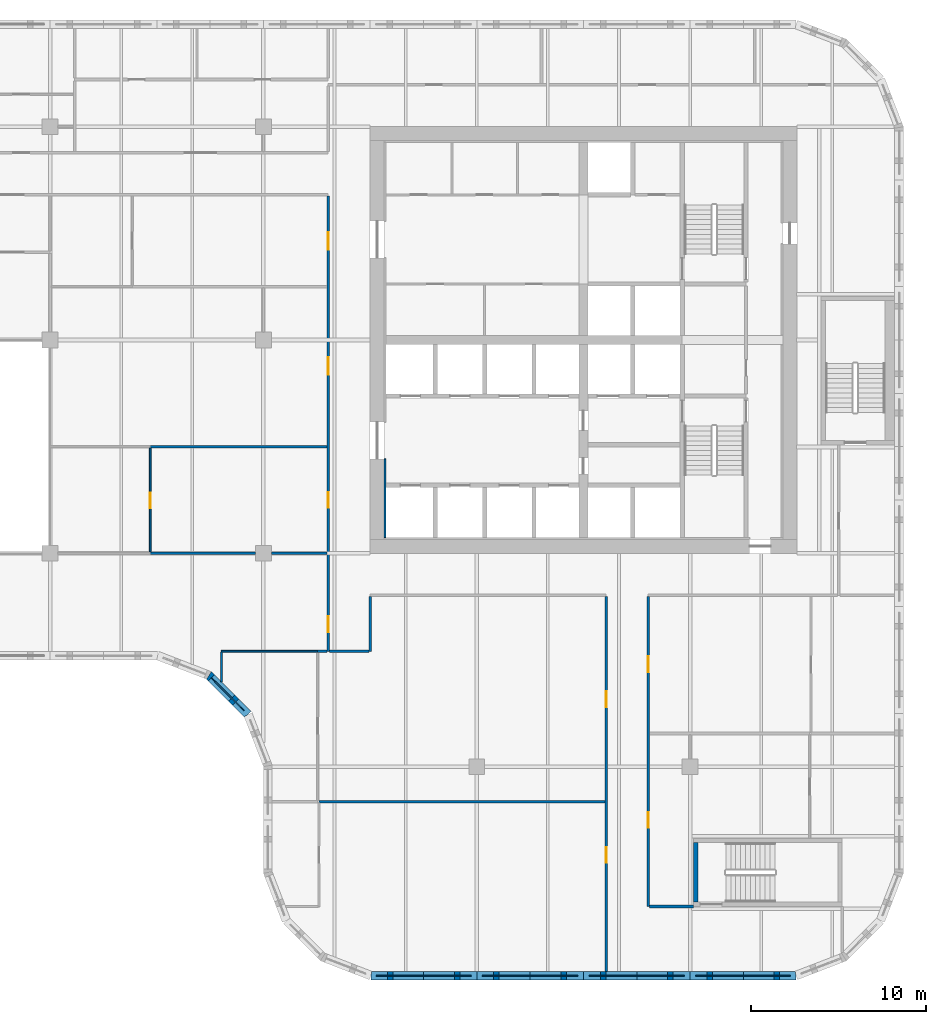
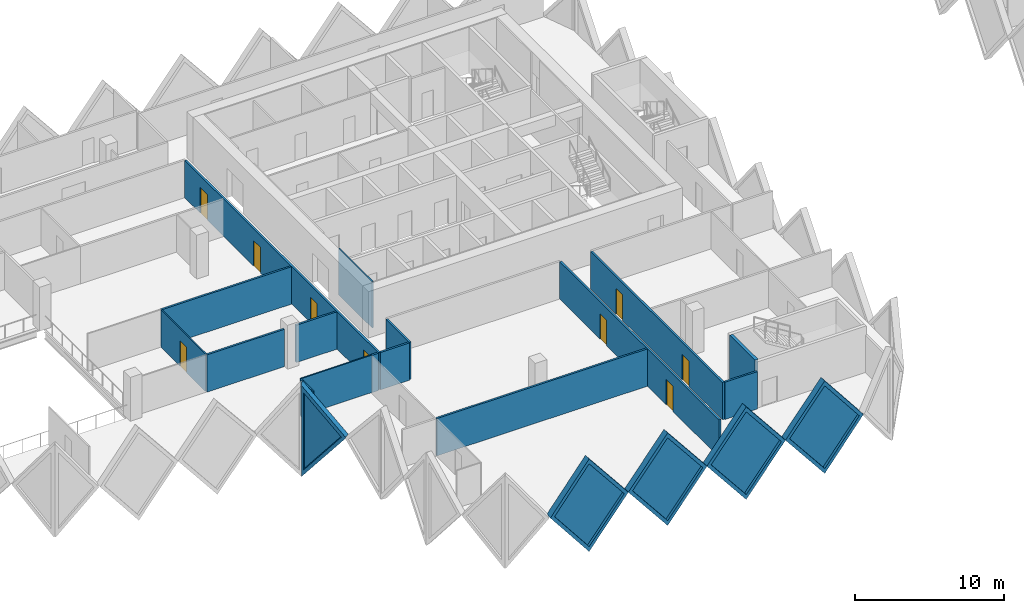
# One storey, part 5 of 19: 21 walls, 9 doors, 5 plates, 14 openings.
"""IFC4 building model written with IfcOpenShell, lengths in metres."""

from ifc_helpers import new_model, si_unit, direction, frame, frame_2d, origin, place, context, subcontext, project, spatial, polyline, rectangle, outline, extrude, faceted_brep, source, transform, mapped, material, layer, layer_set, type_object, element, fill, save


model = new_model("IFC4")

# Units and contexts
model_context = context("Model", 3, precision=1e-05, world=origin(), true_north=direction((0.0, 1.0)))
body_context = subcontext(model_context, "Body", "Model", "MODEL_VIEW")
ifc_project = project(units=[si_unit("LENGTHUNIT", "METRE"), si_unit("AREAUNIT", "SQUARE_METRE"), si_unit("VOLUMEUNIT", "CUBIC_METRE"), si_unit("PLANEANGLEUNIT", "RADIAN"), si_unit("MASSUNIT", "GRAM", prefix="KILO")], contexts=[model_context])

# Site, building, storey
site_placement = place(None, origin())
site = spatial("IfcSite", under=ifc_project, at=site_placement, CompositionType="ELEMENT")
building_placement = place(site_placement, origin())
building = spatial("IfcBuilding", under=site, at=building_placement, Name="Tessera Gate Towers", CompositionType="ELEMENT")
storey_placement = place(building_placement, frame((0.0, 0.0, 80.0)))
storey = spatial("IfcBuildingStorey", under=building, at=storey_placement, Name="L19", CompositionType="ELEMENT", Elevation=80.0)

# Walls
ifc_material_1 = material(Name="Concrete C40/50", Category="concrete")
ifc_layer_1 = layer(ifc_material_1, 0.25)
ifc_layer_set_1 = layer_set([ifc_layer_1], Name="CORE ENCLOSURE WALL 250")
wall_type_1 = type_object("IfcWallType", Name="CORE ENCLOSURE WALL 250", PredefinedType="SOLIDWALL", material=ifc_layer_set_1)
wall_1_placement = place(storey_placement, frame((49.125, 4.449951171875, 0.0), z_axis=(0.0, 0.0, 1.0), x_axis=(0.0, 1.0, 0.0)))
element("IfcWall", 1, at=wall_1_placement, inside=storey, type_object=wall_type_1, Name="L19 ST4 enclosure wall", PredefinedType="SOLIDWALL", context=body_context, shape_type="SweptSolid", body=[
    extrude(rectangle(XDim=3.400146484375, YDim=0.25, at=frame_2d((1.7001953125, 0.0))), origin(), (0.0, 0.0, 1.0), 3.800048828125),
])
ifc_material_2 = material(Name="Concrete C60/75", Category="concrete")
ifc_layer_2 = layer(ifc_material_2, 0.10009765625)
ifc_layer_set_2 = layer_set([ifc_layer_2], Name="CORE WALL THICKENING 100")
wall_type_2 = type_object("IfcWallType", Name="CORE WALL THICKENING 100", PredefinedType="SOLIDWALL", material=ifc_layer_set_2)
wall_2_placement = place(storey_placement, frame((31.35009765625, 25.300048828125, 0.0), z_axis=(0.0, 0.0, 1.0), x_axis=(0.0, 1.0, 0.0)))
element("IfcWall", 2, at=wall_2_placement, inside=storey, type_object=wall_type_2, Name="Core wall thickening W L19", PredefinedType="SOLIDWALL", context=body_context, shape_type="SweptSolid", body=[
    extrude(rectangle(XDim=4.5, YDim=0.10009765625, at=frame_2d((2.25, 0.0))), origin(), (0.0, 0.0, 1.0), 3.800048828125),
])

# Wall, openings, doors
ifc_material_3 = material(Name="Gypsum board on steel studs, mineral wool", Category="steel")
ifc_layer_3 = layer(ifc_material_3, 0.14990234375)
ifc_layer_set_3 = layer_set([ifc_layer_3], Name="CORRIDOR WALL 150")
wall_type_3 = type_object("IfcWallType", Name="CORRIDOR WALL 150", PredefinedType="PARTITIONING", material=ifc_layer_set_3)
wall_3_placement = place(storey_placement, frame((44.0, 0.5, 0.0), z_axis=(0.0, 0.0, 1.0), x_axis=(0.0, 1.0, 0.0)))
wall_3 = element("IfcWall", 3, at=wall_3_placement, inside=storey, type_object=wall_type_3, Name="T1-L19-PW-001", PredefinedType="PARTITIONING", context=body_context, shape_type="SweptSolid", body=[
    extrude(rectangle(XDim=21.424072265625, YDim=0.14990234375, at=frame_2d((10.7119140625, 0.0))), origin(), (0.0, 0.0, 1.0), 3.06689453125),
])
shared_shape_1 = source(origin(), body_context, "Body", "SweptSolid", [
    extrude(rectangle(XDim=0.89990234375, YDim=2.10009765625, at=frame_2d((0.449951171875, 1.050048828125))), frame((0.0, 0.0849609375, 0.0), z_axis=(0.0, -1.0, 0.0), x_axis=(1.0, 0.0, 0.0)), (0.0, 0.0, 1.0), 0.169921875),
])
opening_1_placement = place(wall_3_placement, frame((6.199951171875, 0.0, 0.0)))
opening_1 = element("IfcOpeningElement", 4, at=opening_1_placement, cuts=wall_3, Name="Opening D890FD60-A07-02", PredefinedType="OPENING", context=body_context, shape_type="MappedRepresentation", body=[
    mapped(shared_shape_1, transform((0.0, 0.0, 0.0), scale=1.0)),
])
opening_2_placement = place(wall_3_placement, frame((15.10009765625, 0.0, 0.0)))
opening_2 = element("IfcOpeningElement", 5, at=opening_2_placement, cuts=wall_3, Name="Opening D890FD60-A07-09", PredefinedType="OPENING", context=body_context, shape_type="MappedRepresentation", body=[
    mapped(shared_shape_1, transform((0.0, 0.0, 0.0), scale=1.0)),
])
ifc_material_4 = material(Name="Timber door leaf in steel frame", Category="steel")
door_type_1 = type_object("IfcDoorType", Name="CORRIDOR DOOR 900 FD60", OperationType="NOTDEFINED", PredefinedType="DOOR", material=ifc_material_4)
shared_shape_2 = source(origin(), body_context, "Body", "SweptSolid", [
    extrude(rectangle(XDim=0.89990234375, YDim=2.10009765625, at=frame_2d((0.449951171875, 1.050048828125))), frame((0.0, 0.02490234375, 0.0), z_axis=(0.0, -1.0, 0.0), x_axis=(1.0, 0.0, 0.0)), (0.0, 0.0, 1.0), 0.050048828125),
])
door_1_placement = place(opening_1_placement, origin())
door_1 = element("IfcDoor", 6, at=door_1_placement, inside=storey, type_object=door_type_1, Name="T1-L19-PD-009", OperationType="SINGLE_SWING_LEFT", OverallHeight=2.10009765625, OverallWidth=0.89990234375, PredefinedType="DOOR", context=body_context, shape_type="MappedRepresentation", body=[
    mapped(shared_shape_2, transform((0.0, 0.0, 0.0), scale=1.0)),
])
fill(opening_1, door_1)
door_2_placement = place(opening_2_placement, origin())
door_2 = element("IfcDoor", 7, at=door_2_placement, inside=storey, type_object=door_type_1, Name="T1-L19-PD-023", OperationType="SINGLE_SWING_LEFT", OverallHeight=2.10009765625, OverallWidth=0.89990234375, PredefinedType="DOOR", context=body_context, shape_type="MappedRepresentation", body=[
    mapped(shared_shape_2, transform((0.0, 0.0, 0.0), scale=1.0)),
])
fill(opening_2, door_2)

wall_4_placement = place(storey_placement, frame((46.39990234375, 21.924072265625, 0.0), z_axis=(0.0, 0.0, 1.0), x_axis=(0.0, -1.0, 0.0)))
wall_4 = element("IfcWall", 8, at=wall_4_placement, inside=storey, type_object=wall_type_3, Name="T1-L19-PW-005", PredefinedType="PARTITIONING", context=body_context, shape_type="SweptSolid", body=[
    extrude(rectangle(XDim=17.72412109375, YDim=0.14990234375, at=frame_2d((8.862060546875, 0.0))), origin(), (0.0, 0.0, 1.0), 3.06689453125),
])
opening_3_placement = place(wall_4_placement, frame((3.423095703125, 0.0, 0.0)))
opening_3 = element("IfcOpeningElement", 9, at=opening_3_placement, cuts=wall_4, Name="Opening D890FD60-A07-06", PredefinedType="OPENING", context=body_context, shape_type="MappedRepresentation", body=[
    mapped(shared_shape_1, transform((0.0, 0.0, 0.0), scale=1.0)),
])
opening_4_placement = place(wall_4_placement, frame((12.323974609375, 0.0, 0.0)))
opening_4 = element("IfcOpeningElement", 10, at=opening_4_placement, cuts=wall_4, Name="Opening D890FD60-A07-08", PredefinedType="OPENING", context=body_context, shape_type="MappedRepresentation", body=[
    mapped(shared_shape_1, transform((0.0, 0.0, 0.0), scale=1.0)),
])
door_3_placement = place(opening_3_placement, origin())
door_3 = element("IfcDoor", 11, at=door_3_placement, inside=storey, type_object=door_type_1, Name="T1-L19-PD-018", OperationType="SINGLE_SWING_RIGHT", OverallHeight=2.10009765625, OverallWidth=0.89990234375, PredefinedType="DOOR", context=body_context, shape_type="MappedRepresentation", body=[
    mapped(shared_shape_2, transform((0.0, 0.0, 0.0), scale=1.0)),
])
fill(opening_3, door_3)
door_4_placement = place(opening_4_placement, origin())
door_4 = element("IfcDoor", 12, at=door_4_placement, inside=storey, type_object=door_type_1, Name="T1-L19-PD-022", OperationType="SINGLE_SWING_RIGHT", OverallHeight=2.10009765625, OverallWidth=0.89990234375, PredefinedType="DOOR", context=body_context, shape_type="MappedRepresentation", body=[
    mapped(shared_shape_2, transform((0.0, 0.0, 0.0), scale=1.0)),
])
fill(opening_4, door_4)

# Wall
wall_5_placement = place(storey_placement, frame((46.47607421875, 4.199951171875, 0.0), z_axis=(0.0, 0.0, 1.0), x_axis=(1.0, 0.0, 0.0)))
element("IfcWall", 13, at=wall_5_placement, inside=storey, type_object=wall_type_3, Name="T1-L19-PW-006", PredefinedType="PARTITIONING", context=body_context, shape_type="SweptSolid", body=[
    extrude(rectangle(XDim=2.52392578125, YDim=0.14990234375, at=frame_2d((1.261962890625, 0.0))), origin(), (0.0, 0.0, 1.0), 3.06689453125),
])

# Wall, openings, doors
wall_6_placement = place(storey_placement, frame((28.10009765625, 18.800048828125, 0.0), z_axis=(0.0, 0.0, 1.0), x_axis=(0.0, 1.0, 0.0)))
wall_6 = element("IfcWall", 14, at=wall_6_placement, inside=storey, type_object=wall_type_3, Name="T1-L19-PW-018", PredefinedType="PARTITIONING", context=body_context, shape_type="SweptSolid", body=[
    extrude(rectangle(XDim=26.02392578125, YDim=0.14990234375, at=frame_2d((13.011962890625, 0.0))), origin(), (0.0, 0.0, 1.0), 3.06689453125),
])
opening_5_placement = place(wall_6_placement, frame((1.10009765625, 0.0, 0.0)))
opening_5 = element("IfcOpeningElement", 15, at=opening_5_placement, cuts=wall_6, Name="Opening D890FD60-A07-01", PredefinedType="OPENING", context=body_context, shape_type="MappedRepresentation", body=[
    mapped(shared_shape_1, transform((0.0, 0.0, 0.0), scale=1.0)),
])
shared_shape_3 = source(origin(), body_context, "Body", "SweptSolid", [
    extrude(rectangle(XDim=1.0, YDim=2.10009765625, at=frame_2d((0.5, 1.050048828125))), frame((0.0, 0.0849609375, 0.0), z_axis=(0.0, -1.0, 0.0), x_axis=(1.0, 0.0, 0.0)), (0.0, 0.0, 1.0), 0.169921875),
])
opening_6_placement = place(wall_6_placement, frame((22.950927734375, 0.0, 0.0)))
opening_6 = element("IfcOpeningElement", 16, at=opening_6_placement, cuts=wall_6, Name="Opening D2100FD60-A07-01", PredefinedType="OPENING", context=body_context, shape_type="MappedRepresentation", body=[
    mapped(shared_shape_3, transform((0.0, 0.0, 0.0), scale=1.0)),
])
opening_7_placement = place(wall_6_placement, frame((8.199951171875, 0.0, 0.0)))
opening_7 = element("IfcOpeningElement", 17, at=opening_7_placement, cuts=wall_6, Name="Opening D890FD60-A07-04", PredefinedType="OPENING", context=body_context, shape_type="MappedRepresentation", body=[
    mapped(shared_shape_1, transform((0.0, 0.0, 0.0), scale=1.0)),
])
opening_8_placement = place(wall_6_placement, frame((15.800048828125, 0.0, 0.0)))
opening_8 = element("IfcOpeningElement", 18, at=opening_8_placement, cuts=wall_6, Name="Opening D2100FD60-A07-02", PredefinedType="OPENING", context=body_context, shape_type="MappedRepresentation", body=[
    mapped(shared_shape_3, transform((0.0, 0.0, 0.0), scale=1.0)),
])
door_5_placement = place(opening_5_placement, origin())
door_5 = element("IfcDoor", 19, at=door_5_placement, inside=storey, type_object=door_type_1, Name="T1-L19-PD-001", OperationType="SINGLE_SWING_LEFT", OverallHeight=2.10009765625, OverallWidth=0.89990234375, PredefinedType="DOOR", context=body_context, shape_type="MappedRepresentation", body=[
    mapped(shared_shape_2, transform((0.0, 0.0, 0.0), scale=1.0)),
])
fill(opening_5, door_5)
door_6_placement = place(opening_7_placement, origin())
door_6 = element("IfcDoor", 20, at=door_6_placement, inside=storey, type_object=door_type_1, Name="T1-L19-PD-012", OperationType="SINGLE_SWING_LEFT", OverallHeight=2.10009765625, OverallWidth=0.89990234375, PredefinedType="DOOR", context=body_context, shape_type="MappedRepresentation", body=[
    mapped(shared_shape_2, transform((0.0, 0.0, 0.0), scale=1.0)),
])
fill(opening_7, door_6)
ifc_material_5 = material(Name="Timber door leaf in steel frame", Category="steel")
door_type_2 = type_object("IfcDoorType", Name="TENANCY ENTRANCE DOOR 1000 FD60", OperationType="NOTDEFINED", PredefinedType="DOOR", material=ifc_material_5)
shared_shape_4 = source(origin(), body_context, "Body", "SweptSolid", [
    extrude(rectangle(XDim=1.0, YDim=2.10009765625, at=frame_2d((0.5, 1.050048828125))), frame((0.0, 0.02490234375, 0.0), z_axis=(0.0, -1.0, 0.0), x_axis=(1.0, 0.0, 0.0)), (0.0, 0.0, 1.0), 0.050048828125),
])
door_7_placement = place(opening_6_placement, origin())
door_7 = element("IfcDoor", 21, at=door_7_placement, inside=storey, type_object=door_type_2, Name="T1-L19-PD-005", OperationType="SINGLE_SWING_LEFT", OverallHeight=2.10009765625, OverallWidth=1.0, PredefinedType="DOOR", context=body_context, shape_type="MappedRepresentation", body=[
    mapped(shared_shape_4, transform((0.0, 0.0, 0.0), scale=1.0)),
])
fill(opening_6, door_7)
door_8_placement = place(opening_8_placement, origin())
door_8 = element("IfcDoor", 22, at=door_8_placement, inside=storey, type_object=door_type_2, Name="T1-L19-PD-021", OperationType="SINGLE_SWING_LEFT", OverallHeight=2.10009765625, OverallWidth=1.0, PredefinedType="DOOR", context=body_context, shape_type="MappedRepresentation", body=[
    mapped(shared_shape_4, transform((0.0, 0.0, 0.0), scale=1.0)),
])
fill(opening_8, door_8)

# Walls
wall_7_placement = place(storey_placement, frame((28.176025390625, 18.800048828125, 0.0), z_axis=(0.0, 0.0, 1.0), x_axis=(1.0, 0.0, 0.0)))
element("IfcWall", 23, at=wall_7_placement, inside=storey, type_object=wall_type_3, Name="T1-L19-PW-019", PredefinedType="PARTITIONING", context=body_context, shape_type="SweptSolid", body=[
    extrude(rectangle(XDim=2.248046875, YDim=0.14990234375, at=frame_2d((1.1240234375, 0.0))), origin(), (0.0, 0.0, 1.0), 3.06689453125),
])
wall_8_placement = place(storey_placement, frame((30.5, 18.800048828125, 0.0), z_axis=(0.0, 0.0, 1.0), x_axis=(0.0, 1.0, 0.0)))
element("IfcWall", 24, at=wall_8_placement, inside=storey, type_object=wall_type_3, Name="T1-L19-PW-020", PredefinedType="PARTITIONING", context=body_context, shape_type="SweptSolid", body=[
    extrude(rectangle(XDim=3.1240234375, YDim=0.14990234375, at=frame_2d((1.56201171875, 0.0))), origin(), (0.0, 0.0, 1.0), 3.06689453125),
])
ifc_material_6 = material(Name="Glass", Category="glass")
ifc_layer_4 = layer(ifc_material_6, 0.10009765625)
ifc_layer_set_4 = layer_set([ifc_layer_4], Name="GLAZED PARTITION 100")
wall_type_4 = type_object("IfcWallType", Name="GLAZED PARTITION 100", PredefinedType="PARTITIONING", material=ifc_layer_set_4)
wall_9_placement = place(storey_placement, frame((22.0, 17.054931640625, 0.0), z_axis=(0.0, 0.0, 1.0), x_axis=(0.0, 1.0, 0.0)))
element("IfcWall", 25, at=wall_9_placement, inside=storey, type_object=wall_type_4, Name="T1-L19-PW-015", PredefinedType="PARTITIONING", context=body_context, shape_type="SweptSolid", body=[
    extrude(rectangle(XDim=1.694091796875, YDim=0.10009765625, at=frame_2d((0.84716796875, 0.0))), origin(), (0.0, 0.0, 1.0), 3.06689453125),
])
wall_10_placement = place(storey_placement, frame((22.0, 18.800048828125, 0.0), z_axis=(0.0, 0.0, 1.0), x_axis=(1.0, 0.0, 0.0)))
element("IfcWall", 26, at=wall_10_placement, inside=storey, type_object=wall_type_4, Name="T1-L19-PW-016", PredefinedType="PARTITIONING", context=body_context, shape_type="SweptSolid", body=[
    extrude(rectangle(XDim=5.4990234375, YDim=0.10009765625, at=frame_2d((2.74951171875, 0.0))), origin(), (0.0, 0.0, 1.0), 3.06689453125),
])

# Wall, opening, door
wall_11_placement = place(storey_placement, frame((17.925048828125, 24.47607421875, 0.0), z_axis=(0.0, 0.0, 1.0), x_axis=(0.0, 1.0, 0.0)))
wall_11 = element("IfcWall", 27, at=wall_11_placement, inside=storey, type_object=wall_type_4, Name="T1-L19-PW-029", PredefinedType="PARTITIONING", context=body_context, shape_type="SweptSolid", body=[
    extrude(rectangle(XDim=5.947998046875, YDim=0.10009765625, at=frame_2d((2.97412109375, 0.0))), origin(), (0.0, 0.0, 1.0), 3.06689453125),
])
shared_shape_5 = source(origin(), body_context, "Body", "SweptSolid", [
    extrude(rectangle(XDim=0.89990234375, YDim=2.10009765625, at=frame_2d((0.449951171875, 1.050048828125))), frame((0.0, 0.06005859375, 0.0), z_axis=(0.0, -1.0, 0.0), x_axis=(1.0, 0.0, 0.0)), (0.0, 0.0, 1.0), 0.1201171875),
])
opening_9_placement = place(wall_11_placement, frame((2.5, 0.0, 0.0)))
opening_9 = element("IfcOpeningElement", 28, at=opening_9_placement, cuts=wall_11, Name="Opening D690-A07-04", PredefinedType="OPENING", context=body_context, shape_type="MappedRepresentation", body=[
    mapped(shared_shape_5, transform((0.0, 0.0, 0.0), scale=1.0)),
])
ifc_material_7 = material(Name="Glass in aluminium frame", Category="aluminium")
door_type_3 = type_object("IfcDoorType", Name="GLAZED DOOR 900 NOT RATED", OperationType="NOTDEFINED", PredefinedType="DOOR", material=ifc_material_7)
door_9_placement = place(opening_9_placement, origin())
door_9 = element("IfcDoor", 29, at=door_9_placement, inside=storey, type_object=door_type_3, Name="T1-L19-PD-008", OperationType="SINGLE_SWING_LEFT", OverallHeight=2.10009765625, OverallWidth=0.89990234375, PredefinedType="DOOR", context=body_context, shape_type="MappedRepresentation", body=[
    mapped(shared_shape_2, transform((0.0, 0.0, 0.0), scale=1.0)),
])
fill(opening_9, door_9)

# Walls
ifc_material_8 = material(Name="Gypsum board on steel studs, mineral wool", Category="steel")
ifc_layer_5 = layer(ifc_material_8, 0.14990234375)
ifc_layer_set_5 = layer_set([ifc_layer_5], Name="TENANCY WALL 150")
wall_type_5 = type_object("IfcWallType", Name="TENANCY WALL 150", PredefinedType="PARTITIONING", material=ifc_layer_set_5)
wall_12_placement = place(storey_placement, frame((27.574951171875, 10.199951171875, 0.0), z_axis=(0.0, 0.0, 1.0), x_axis=(1.0, 0.0, 0.0)))
element("IfcWall", 30, at=wall_12_placement, inside=storey, type_object=wall_type_5, Name="T1-L19-PW-009", PredefinedType="PARTITIONING", context=body_context, shape_type="SweptSolid", body=[
    extrude(rectangle(XDim=16.34912109375, YDim=0.14990234375, at=frame_2d((8.174560546875, 0.0))), origin(), (0.0, 0.0, 1.0), 3.06689453125),
])
wall_13_placement = place(storey_placement, frame((27.5, 18.800048828125, 0.0), z_axis=(0.0, 0.0, 1.0), x_axis=(1.0, 0.0, 0.0)))
element("IfcWall", 31, at=wall_13_placement, inside=storey, type_object=wall_type_5, Name="T1-L19-PW-017", PredefinedType="PARTITIONING", context=body_context, shape_type="SweptSolid", body=[
    extrude(rectangle(XDim=0.52392578125, YDim=0.14990234375, at=frame_2d((0.261962890625, 0.0))), origin(), (0.0, 0.0, 1.0), 3.06689453125),
])
wall_14_placement = place(storey_placement, frame((17.925048828125, 24.39990234375, 0.0), z_axis=(0.0, 0.0, 1.0), x_axis=(1.0, 0.0, 0.0)))
element("IfcWall", 32, at=wall_14_placement, inside=storey, type_object=wall_type_5, Name="T1-L19-PW-027", PredefinedType="PARTITIONING", context=body_context, shape_type="SweptSolid", body=[
    extrude(rectangle(XDim=6.02392578125, YDim=0.14990234375, at=frame_2d((3.011962890625, 0.0))), origin(), (0.0, 0.0, 1.0), 3.06689453125),
])
wall_15_placement = place(storey_placement, frame((24.85107421875, 24.39990234375, 0.0), z_axis=(0.0, 0.0, 1.0), x_axis=(1.0, 0.0, 0.0)))
element("IfcWall", 33, at=wall_15_placement, inside=storey, type_object=wall_type_5, Name="T1-L19-PW-028", PredefinedType="PARTITIONING", context=body_context, shape_type="SweptSolid", body=[
    extrude(rectangle(XDim=3.1728515625, YDim=0.14990234375, at=frame_2d((1.58642578125, 0.0))), origin(), (0.0, 0.0, 1.0), 3.06689453125),
])
wall_16_placement = place(storey_placement, frame((17.925048828125, 30.5, 0.0), z_axis=(0.0, 0.0, 1.0), x_axis=(1.0, 0.0, 0.0)))
element("IfcWall", 34, at=wall_16_placement, inside=storey, type_object=wall_type_5, Name="T1-L19-PW-031", PredefinedType="PARTITIONING", context=body_context, shape_type="SweptSolid", body=[
    extrude(rectangle(XDim=10.098876953125, YDim=0.14990234375, at=frame_2d((5.04931640625, 0.0))), origin(), (0.0, 0.0, 1.0), 3.06689453125),
])

# Wall, opening, plate
ifc_material_9 = material(Name="Precast concrete C60/75 white", Category="concrete")
ifc_layer_6 = layer(ifc_material_9, 0.5)
ifc_layer_set_6 = layer_set([ifc_layer_6], Name="TS1 tessera")
wall_type_6 = type_object("IfcWallType", Name="TS1 tessera", PredefinedType="SOLIDWALL", material=ifc_layer_set_6)
shared_shape_6 = source(origin(), body_context, "Body", "Brep", [
    faceted_brep([(3.00341796875, -0.25, 0.0), (6.053466796875, -0.25, 3.800048828125), (3.00341796875, -0.25, 7.60009765625), (0.0, -0.25, 3.800048828125), (0.046630859375, 0.25, 3.85888671875), (3.00341796875, 0.25, 7.60009765625), (6.053466796875, 0.25, 3.800048828125), (3.00341796875, 0.25, 0.0), (0.046630859375, 0.25, 3.7412109375), (0.0, 0.0, 3.800048828125)], [[[0, 1, 2, 3]], [[4, 5, 6, 7, 8]], [[7, 6, 1, 0]], [[6, 5, 2, 1]], [[5, 4, 9, 3, 2]], [[8, 7, 0, 3, 9]], [[8, 9, 4]]]),
])
wall_17_placement = place(storey_placement, frame((30.546630859375, 0.25, -3.800048828125), z_axis=(0.0, 0.0, 1.0), x_axis=(1.0, 0.0, 0.0)))
wall_17 = element("IfcWall", 35, at=wall_17_placement, inside=storey, type_object=wall_type_6, Name="Precast tessera T1 TS1-0276", PredefinedType="SOLIDWALL", context=body_context, shape_type="MappedRepresentation", body=[
    mapped(shared_shape_6, transform((0.0, 0.0, 0.0), scale=1.0)),
])
shared_shape_7 = source(origin(), body_context, "Body", "SweptSolid", [
    extrude(outline(polyline([(3.0048828125, 0.4013671875), (5.73291015625, 3.800048828125), (3.0048828125, 7.19873046875), (0.318603515625, 3.800048828125), (3.0048828125, 0.4013671875)])), frame((0.0, 0.260009765625, 0.0), z_axis=(0.0, -1.0, 0.0), x_axis=(1.0, 0.0, 0.0)), (0.0, 0.0, 1.0), 0.52001953125),
])
opening_10_placement = place(wall_17_placement, origin())
opening_10 = element("IfcOpeningElement", 36, at=opening_10_placement, cuts=wall_17, Name="Opening T1-PL2-0564", PredefinedType="OPENING", context=body_context, shape_type="MappedRepresentation", body=[
    mapped(shared_shape_7, transform((0.0, 0.0, 0.0), scale=1.0)),
])
ifc_material_10 = material(Name="Low-e laminated glass", Category="glass")
ifc_layer_7 = layer(ifc_material_10, 0.06005859375)
ifc_layer_set_7 = layer_set([ifc_layer_7], Name="PL2 rhombic pane")
plate_type = type_object("IfcPlateType", Name="PL2 rhombic pane", PredefinedType="SHEET", material=ifc_layer_set_7)
shared_shape_8 = source(origin(), body_context, "Body", "SweptSolid", [
    extrude(outline(polyline([(3.0048828125, 0.4013671875), (5.73291015625, 3.800048828125), (3.0048828125, 7.19873046875), (0.318603515625, 3.800048828125), (3.0048828125, 0.4013671875)])), frame((0.0, 0.030029296875, 0.0), z_axis=(0.0, -1.0, 0.0), x_axis=(1.0, 0.0, 0.0)), (0.0, 0.0, 1.0), 0.06005859375),
])
plate_1_placement = place(opening_10_placement, origin())
plate_1 = element("IfcPlate", 37, at=plate_1_placement, inside=storey, type_object=plate_type, Name="Glass pane T1 PL2-0564", PredefinedType="SHEET", context=body_context, shape_type="MappedRepresentation", body=[
    mapped(shared_shape_8, transform((0.0, 0.0, 0.0), scale=1.0)),
])
fill(opening_10, plate_1)

shared_shape_9 = source(origin(), body_context, "Body", "Brep", [
    faceted_brep([(3.050048828125, -0.25, 0.0), (6.099853515625, -0.25, 3.7998046875), (6.099853515625, -0.25, 3.80029296875), (3.050048828125, -0.25, 7.60009765625), (0.0, -0.25, 3.800048828125), (0.0, 0.25, 3.800048828125), (3.050048828125, 0.25, 7.60009765625), (6.099853515625, 0.25, 3.80029296875), (6.099853515625, 0.25, 3.7998046875), (3.050048828125, 0.25, 0.0)], [[[0, 1, 2, 3, 4]], [[5, 6, 7, 8, 9]], [[9, 8, 1, 0]], [[7, 6, 3, 2]], [[6, 5, 4, 3]], [[5, 9, 0, 4]], [[1, 8, 7, 2]]]),
])
wall_18_placement = place(storey_placement, frame((36.60009765625, 0.25, -3.800048828125), z_axis=(0.0, 0.0, 1.0), x_axis=(1.0, 0.0, 0.0)))
wall_18 = element("IfcWall", 38, at=wall_18_placement, inside=storey, type_object=wall_type_6, Name="Precast tessera T1 TS1-0277", PredefinedType="SOLIDWALL", context=body_context, shape_type="MappedRepresentation", body=[
    mapped(shared_shape_9, transform((0.0, 0.0, 0.0), scale=1.0)),
])
shared_shape_10 = source(origin(), body_context, "Body", "SweptSolid", [
    extrude(outline(polyline([(3.050048828125, 0.3994140625), (5.779541015625, 3.800048828125), (3.050048828125, 7.20068359375), (0.320556640625, 3.800048828125), (3.050048828125, 0.3994140625)])), frame((0.0, 0.260009765625, 0.0), z_axis=(0.0, -1.0, 0.0), x_axis=(1.0, 0.0, 0.0)), (0.0, 0.0, 1.0), 0.52001953125),
])
opening_11_placement = place(wall_18_placement, origin())
opening_11 = element("IfcOpeningElement", 39, at=opening_11_placement, cuts=wall_18, Name="Opening T1-PL2-0565", PredefinedType="OPENING", context=body_context, shape_type="MappedRepresentation", body=[
    mapped(shared_shape_10, transform((0.0, 0.0, 0.0), scale=1.0)),
])
shared_shape_11 = source(origin(), body_context, "Body", "SweptSolid", [
    extrude(outline(polyline([(3.050048828125, 0.3994140625), (5.779541015625, 3.800048828125), (3.050048828125, 7.20068359375), (0.320556640625, 3.800048828125), (3.050048828125, 0.3994140625)])), frame((0.0, 0.030029296875, 0.0), z_axis=(0.0, -1.0, 0.0), x_axis=(1.0, 0.0, 0.0)), (0.0, 0.0, 1.0), 0.06005859375),
])
plate_2_placement = place(opening_11_placement, origin())
plate_2 = element("IfcPlate", 40, at=plate_2_placement, inside=storey, type_object=plate_type, Name="Glass pane T1 PL2-0565", PredefinedType="SHEET", context=body_context, shape_type="MappedRepresentation", body=[
    mapped(shared_shape_11, transform((0.0, 0.0, 0.0), scale=1.0)),
])
fill(opening_11, plate_2)

shared_shape_12 = source(origin(), body_context, "Body", "SweptSolid", [
    extrude(outline(polyline([(3.050048828125, 0.0), (6.10009765625, 3.800048828125), (3.050048828125, 7.60009765625), (0.0, 3.800048828125), (3.050048828125, 0.0)])), frame((0.0, 0.25, 0.0), z_axis=(0.0, -1.0, 0.0), x_axis=(1.0, 0.0, 0.0)), (0.0, 0.0, 1.0), 0.5),
])
wall_19_placement = place(storey_placement, frame((42.699951171875, 0.25, -3.800048828125), z_axis=(0.0, 0.0, 1.0), x_axis=(1.0, 0.0, 0.0)))
wall_19 = element("IfcWall", 41, at=wall_19_placement, inside=storey, type_object=wall_type_6, Name="Precast tessera T1 TS1-0278", PredefinedType="SOLIDWALL", context=body_context, shape_type="MappedRepresentation", body=[
    mapped(shared_shape_12, transform((0.0, 0.0, 0.0), scale=1.0)),
])
opening_12_placement = place(wall_19_placement, origin())
opening_12 = element("IfcOpeningElement", 42, at=opening_12_placement, cuts=wall_19, Name="Opening T1-PL2-0566", PredefinedType="OPENING", context=body_context, shape_type="MappedRepresentation", body=[
    mapped(shared_shape_10, transform((0.0, 0.0, 0.0), scale=1.0)),
])
plate_3_placement = place(opening_12_placement, origin())
plate_3 = element("IfcPlate", 43, at=plate_3_placement, inside=storey, type_object=plate_type, Name="Glass pane T1 PL2-0566", PredefinedType="SHEET", context=body_context, shape_type="MappedRepresentation", body=[
    mapped(shared_shape_11, transform((0.0, 0.0, 0.0), scale=1.0)),
])
fill(opening_12, plate_3)

shared_shape_13 = source(origin(), body_context, "Body", "Brep", [
    faceted_brep([(3.050048828125, -0.25, 0.0), (6.053466796875, -0.25, 3.800048828125), (3.050048828125, -0.25, 7.60009765625), (0.0, -0.25, 3.800048828125), (0.0, 0.25, 3.800048828125), (3.050048828125, 0.25, 7.60009765625), (6.0068359375, 0.25, 3.85888671875), (6.0068359375, 0.25, 3.7412109375), (3.050048828125, 0.25, 0.0), (6.053466796875, 0.0, 3.800048828125)], [[[0, 1, 2, 3]], [[4, 5, 6, 7, 8]], [[8, 7, 9, 1, 0]], [[6, 5, 2, 1, 9]], [[5, 4, 3, 2]], [[4, 8, 0, 3]], [[9, 7, 6]]]),
])
wall_20_placement = place(storey_placement, frame((48.800048828125, 0.25, -3.800048828125), z_axis=(0.0, 0.0, 1.0), x_axis=(1.0, 0.0, 0.0)))
wall_20 = element("IfcWall", 44, at=wall_20_placement, inside=storey, type_object=wall_type_6, Name="Precast tessera T1 TS1-0279", PredefinedType="SOLIDWALL", context=body_context, shape_type="MappedRepresentation", body=[
    mapped(shared_shape_13, transform((0.0, 0.0, 0.0), scale=1.0)),
])
shared_shape_14 = source(origin(), body_context, "Body", "SweptSolid", [
    extrude(outline(polyline([(3.048583984375, 0.4013671875), (5.73486328125, 3.800048828125), (3.048583984375, 7.19873046875), (0.320556640625, 3.800048828125), (3.048583984375, 0.4013671875)])), frame((0.0, 0.260009765625, 0.0), z_axis=(0.0, -1.0, 0.0), x_axis=(1.0, 0.0, 0.0)), (0.0, 0.0, 1.0), 0.52001953125),
])
opening_13_placement = place(wall_20_placement, origin())
opening_13 = element("IfcOpeningElement", 45, at=opening_13_placement, cuts=wall_20, Name="Opening T1-PL2-0567", PredefinedType="OPENING", context=body_context, shape_type="MappedRepresentation", body=[
    mapped(shared_shape_14, transform((0.0, 0.0, 0.0), scale=1.0)),
])
shared_shape_15 = source(origin(), body_context, "Body", "SweptSolid", [
    extrude(outline(polyline([(3.048583984375, 0.4013671875), (5.73486328125, 3.800048828125), (3.048583984375, 7.19873046875), (0.320556640625, 3.800048828125), (3.048583984375, 0.4013671875)])), frame((0.0, 0.030029296875, 0.0), z_axis=(0.0, -1.0, 0.0), x_axis=(1.0, 0.0, 0.0)), (0.0, 0.0, 1.0), 0.06005859375),
])
plate_4_placement = place(opening_13_placement, origin())
plate_4 = element("IfcPlate", 46, at=plate_4_placement, inside=storey, type_object=plate_type, Name="Glass pane T1 PL2-0567", PredefinedType="SHEET", context=body_context, shape_type="MappedRepresentation", body=[
    mapped(shared_shape_15, transform((0.0, 0.0, 0.0), scale=1.0)),
])
fill(opening_13, plate_4)

ifc_material_11 = material(Name="Precast concrete C60/75 white", Category="concrete")
ifc_layer_8 = layer(ifc_material_11, 0.5)
ifc_layer_set_8 = layer_set([ifc_layer_8], Name="TS3 corner tessera")
wall_type_7 = type_object("IfcWallType", Name="TS3 corner tessera", PredefinedType="SOLIDWALL", material=ifc_layer_set_8)
shared_shape_16 = source(origin(), body_context, "Body", "Brep", [
    faceted_brep([(0.10595703125, -0.25, 0.063720703125), (3.156005859375, -0.25, 3.736328125), (3.156005859375, -0.25, 3.86376953125), (0.10595703125, -0.25, 7.536376953125), (0.0, 0.25, 7.5361328125), (0.052978515625, 0.25, 7.60009765625), (3.208740234375, 0.25, 3.800048828125), (0.052978515625, 0.25, 0.0), (0.0, 0.25, 0.06396484375), (3.208740234375, -0.00048828125, 3.800048828125), (0.052978515625, 0.0, 0.0), (0.052978515625, 0.0, 7.60009765625)], [[[0, 1, 2, 3]], [[4, 5, 6, 7, 8]], [[7, 6, 9, 1, 0, 10]], [[6, 5, 11, 3, 2, 9]], [[5, 4, 11]], [[8, 7, 10]], [[8, 10, 0, 3, 11, 4]], [[1, 9, 2]]]),
])
wall_21_placement = place(storey_placement, frame((21.24755859375, 17.453857421875, -3.800048828125), z_axis=(0.0, 0.0, 1.0), x_axis=(0.707106781187, -0.707106781187, 0.0)))
wall_21 = element("IfcWall", 47, at=wall_21_placement, inside=storey, type_object=wall_type_7, Name="Precast corner tessera T1 TS3-0426", PredefinedType="SOLIDWALL", context=body_context, shape_type="MappedRepresentation", body=[
    mapped(shared_shape_16, transform((0.0, 0.0, 0.0), scale=1.0)),
])
shared_shape_17 = source(origin(), body_context, "Body", "SweptSolid", [
    extrude(outline(polyline([(0.2529296875, 0.632080078125), (2.8837890625, 3.800048828125), (0.2529296875, 6.968017578125), (0.2529296875, 0.632080078125)])), frame((0.0, 0.260009765625, 0.0), z_axis=(0.0, -1.0, 0.0), x_axis=(1.0, 0.0, 0.0)), (0.0, 0.0, 1.0), 0.52001953125),
])
opening_14_placement = place(wall_21_placement, origin())
opening_14 = element("IfcOpeningElement", 48, at=opening_14_placement, cuts=wall_21, Name="Opening T1-PL2-0604", PredefinedType="OPENING", context=body_context, shape_type="MappedRepresentation", body=[
    mapped(shared_shape_17, transform((0.0, 0.0, 0.0), scale=1.0)),
])
shared_shape_18 = source(origin(), body_context, "Body", "SweptSolid", [
    extrude(outline(polyline([(0.2529296875, 0.632080078125), (2.8837890625, 3.800048828125), (0.2529296875, 6.968017578125), (0.2529296875, 0.632080078125)])), frame((0.0, 0.030029296875, 0.0), z_axis=(0.0, -1.0, 0.0), x_axis=(1.0, 0.0, 0.0)), (0.0, 0.0, 1.0), 0.06005859375),
])
plate_5_placement = place(opening_14_placement, origin())
plate_5 = element("IfcPlate", 49, at=plate_5_placement, inside=storey, type_object=plate_type, Name="Glass pane T1 PL2-0604", PredefinedType="SHEET", context=body_context, shape_type="MappedRepresentation", body=[
    mapped(shared_shape_18, transform((0.0, 0.0, 0.0), scale=1.0)),
])
fill(opening_14, plate_5)

save(model, "model.ifc")
